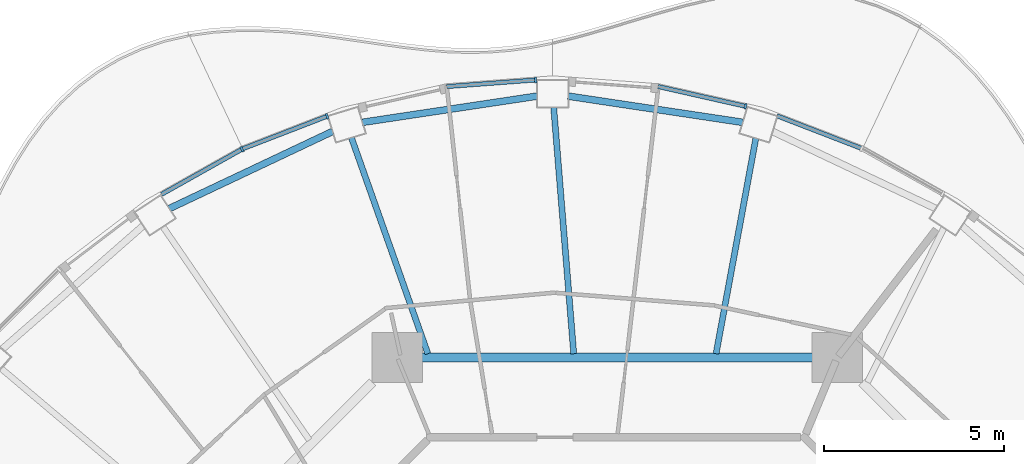
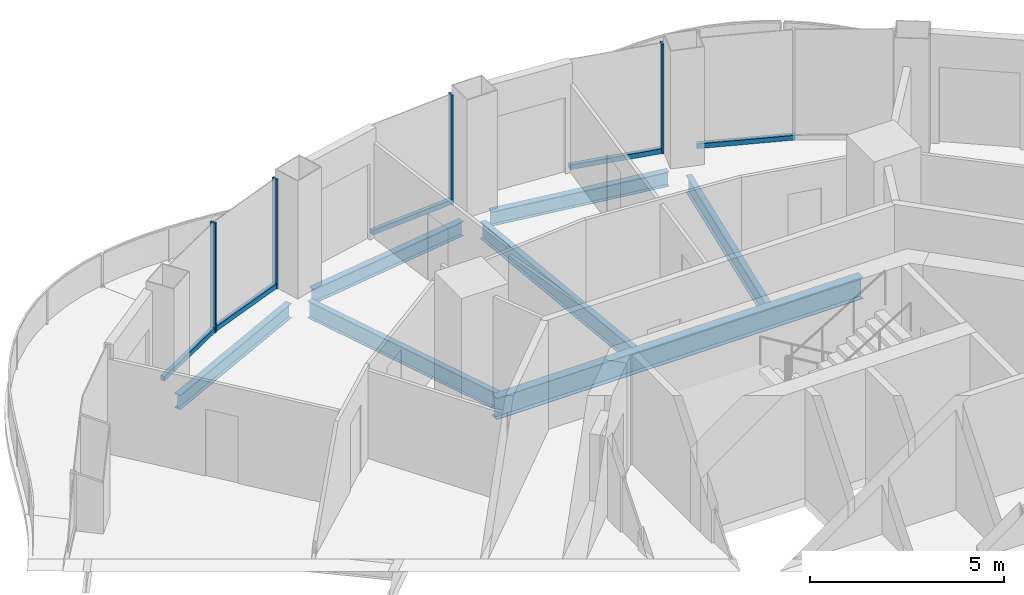
# One storey, part 6 of 17: 9 members, 7 beams, 5 elements without a shape of their own.
"""IFC4 building model written with IfcOpenShell, lengths in metres."""

from ifc_helpers import new_model, si_unit, direction, frame, origin, origin_2d, place, context, subcontext, project, spatial, rectangle, i_section, extrude, material, layer, layer_set, material_profile, profile_set, type_object, element, aggregate, save


model = new_model("IFC4")

# Units and contexts
model_context = context("Model", 3, precision=1e-05, world=origin(), true_north=direction((0.0, 1.0)))
body_context = subcontext(model_context, "Body", "Model", "MODEL_VIEW")
ifc_project = project(units=[si_unit("LENGTHUNIT", "METRE"), si_unit("AREAUNIT", "SQUARE_METRE"), si_unit("VOLUMEUNIT", "CUBIC_METRE"), si_unit("PLANEANGLEUNIT", "RADIAN"), si_unit("MASSUNIT", "GRAM", prefix="KILO")], contexts=[model_context])

# Site, building, storey
site_placement = place(None, origin())
site = spatial("IfcSite", under=ifc_project, at=site_placement, CompositionType="ELEMENT")
building_placement = place(site_placement, origin())
building = spatial("IfcBuilding", under=site, at=building_placement, Name="Nagisa Residences", CompositionType="ELEMENT")
storey_placement = place(building_placement, frame((0.0, 0.0, 265.89990234375)))
storey = spatial("IfcBuildingStorey", under=building, at=storey_placement, Name="L67", CompositionType="ELEMENT", Elevation=265.89990234375)

# Curtain wall, member
ifc_material_1 = material(Name="Concrete-coloured aluminium curtain wall system", Category="concrete")
ifc_layer = layer(ifc_material_1, 0.159912109375)
ifc_layer_set = layer_set([ifc_layer], Name="CW1 CURTAIN WALL")
curtain_wall_type = type_object("IfcCurtainWallType", Name="CW1 CURTAIN WALL", PredefinedType="NOTDEFINED", material=ifc_layer_set)
curtain_wall_1_placement = place(storey_placement, origin())
curtain_wall_1 = element("IfcCurtainWall", 1, at=curtain_wall_1_placement, inside=storey, type_object=curtain_wall_type, Name="cw:CW1:L67:10", PredefinedType="NOTDEFINED")
ifc_material_2 = material(Name="Concrete-coloured aluminium", Category="concrete")
ifc_material_profile_1 = material_profile(ifc_material_2, rectangle(XDim=0.159912109375, YDim=0.06005859375, at=origin_2d()), Name="CW1 MULLION 160x60")
ifc_profile_set_1 = profile_set([ifc_material_profile_1], Name="Concrete-coloured aluminium")
member_type_1 = type_object("IfcMemberType", Name="CW1 MULLION 160x60", PredefinedType="MULLION", material=ifc_profile_set_1)
member_1_placement = place(storey_placement, frame((3.568603515625, 21.773193359375, 0.0), z_axis=(0.0, 0.0, 1.0), x_axis=(-0.2207639201, -0.975327274089, 0.0)))
member_1 = element("IfcMember", 2, at=member_1_placement, type_object=member_type_1, Name="CW1 mullion", PredefinedType="MULLION", context=body_context, shape_type="SweptSolid", body=[
    extrude(rectangle(XDim=0.159912109375, YDim=0.06005859375, at=origin_2d()), origin(), (0.0, 0.0, 1.0), 3.440185546875),
])

curtain_wall_2_placement = place(storey_placement, origin())
curtain_wall_2 = element("IfcCurtainWall", 3, at=curtain_wall_2_placement, inside=storey, type_object=curtain_wall_type, Name="cw:CW1:L67:12", PredefinedType="NOTDEFINED")
member_2_placement = place(storey_placement, frame((-2.272705078125, 22.5068359375, 0.0), z_axis=(0.0, 0.0, 1.0), x_axis=(0.074377355493, -0.997230168512, 0.0)))
member_2 = element("IfcMember", 4, at=member_2_placement, type_object=member_type_1, Name="CW1 mullion", PredefinedType="MULLION", context=body_context, shape_type="SweptSolid", body=[
    extrude(rectangle(XDim=0.159912109375, YDim=0.06005859375, at=origin_2d()), origin(), (0.0, 0.0, 1.0), 3.440185546875),
])

curtain_wall_3_placement = place(storey_placement, origin())
curtain_wall_3 = element("IfcCurtainWall", 5, at=curtain_wall_3_placement, inside=storey, type_object=curtain_wall_type, Name="cw:CW1:L67:14", PredefinedType="NOTDEFINED")
member_3_placement = place(storey_placement, frame((-8.073486328125, 21.49755859375, 0.0), z_axis=(0.0, 0.0, 1.0), x_axis=(0.360327770268, -0.932825759707, 0.0)))
member_3 = element("IfcMember", 6, at=member_3_placement, type_object=member_type_1, Name="CW1 mullion", PredefinedType="MULLION", context=body_context, shape_type="SweptSolid", body=[
    extrude(rectangle(XDim=0.159912109375, YDim=0.06005859375, at=origin_2d()), origin(), (0.0, 0.0, 1.0), 3.440185546875),
])

curtain_wall_4_placement = place(storey_placement, origin())
curtain_wall_4 = element("IfcCurtainWall", 7, at=curtain_wall_4_placement, inside=storey, type_object=curtain_wall_type, Name="cw:CW1:L67:15", PredefinedType="NOTDEFINED")
member_4_placement = place(storey_placement, frame((-10.443359375, 20.57861328125, 0.0), z_axis=(0.0, 0.0, 1.0), x_axis=(0.489376918501, -0.872072377523, 0.0)))
member_4 = element("IfcMember", 8, at=member_4_placement, type_object=member_type_1, Name="CW1 mullion", PredefinedType="MULLION", context=body_context, shape_type="SweptSolid", body=[
    extrude(rectangle(XDim=0.159912109375, YDim=0.06005859375, at=origin_2d()), origin(), (0.0, 0.0, 1.0), 3.440185546875),
])

curtain_wall_5_placement = place(storey_placement, origin())
curtain_wall_5 = element("IfcCurtainWall", 9, at=curtain_wall_5_placement, inside=storey, type_object=curtain_wall_type, Name="cw:CW1:L67:09", PredefinedType="NOTDEFINED")
ifc_material_3 = material(Name="Concrete-coloured aluminium", Category="concrete")
ifc_material_profile_2 = material_profile(ifc_material_3, rectangle(XDim=0.1201171875, YDim=0.14990234375, at=origin_2d()), Name="CW1 TRANSOM 120x150")
ifc_profile_set_2 = profile_set([ifc_material_profile_2], Name="Concrete-coloured aluminium")
member_type_2 = type_object("IfcMemberType", Name="CW1 TRANSOM 120x150", PredefinedType="USERDEFINED", material=ifc_profile_set_2)
member_5_placement = place(storey_placement, frame((6.827392578125, 20.58837890625, 0.0751953125), z_axis=(-0.93282223778, 0.360336887792, 0.0), x_axis=(-0.360336887792, -0.93282223778, 0.0)))
member_5 = element("IfcMember", 10, at=member_5_placement, type_object=member_type_2, Name="CW1 transom", ObjectType="TRANSOM", PredefinedType="USERDEFINED", context=body_context, shape_type="SweptSolid", body=[
    extrude(rectangle(XDim=0.1201171875, YDim=0.14990234375, at=origin_2d()), origin(), (0.0, 0.0, 1.0), 2.5537109375),
])
aggregate(curtain_wall_5, [member_5])

# Member
member_6_placement = place(storey_placement, frame((3.597900390625, 21.7666015625, 0.0751953125), z_axis=(-0.975340398222, 0.220705930136, 0.0), x_axis=(-0.220705930136, -0.975340398222, 0.0)))
member_6 = element("IfcMember", 11, at=member_6_placement, type_object=member_type_2, Name="CW1 transom", ObjectType="TRANSOM", PredefinedType="USERDEFINED", context=body_context, shape_type="SweptSolid", body=[
    extrude(rectangle(XDim=0.1201171875, YDim=0.14990234375, at=origin_2d()), origin(), (0.0, 0.0, 1.0), 2.525390625),
])

aggregate(curtain_wall_1, [member_1, member_6])

member_7_placement = place(storey_placement, frame((-2.242919921875, 22.509033203125, 0.0751953125), z_axis=(-0.99722914645, -0.074391057731, 0.0), x_axis=(0.074391057731, -0.99722914645, 0.0)))
member_7 = element("IfcMember", 12, at=member_7_placement, type_object=member_type_2, Name="CW1 transom", ObjectType="TRANSOM", PredefinedType="USERDEFINED", context=body_context, shape_type="SweptSolid", body=[
    extrude(rectangle(XDim=0.1201171875, YDim=0.14990234375, at=origin_2d()), origin(), (0.0, 0.0, 1.0), 2.510498046875),
])

aggregate(curtain_wall_2, [member_2, member_7])

member_8_placement = place(storey_placement, frame((-8.04541015625, 21.508544921875, 0.0751953125), z_axis=(-0.93282223778, -0.360336887792, 0.0), x_axis=(0.360336887792, -0.93282223778, 0.0)))
member_8 = element("IfcMember", 13, at=member_8_placement, type_object=member_type_2, Name="CW1 transom", ObjectType="TRANSOM", PredefinedType="USERDEFINED", context=body_context, shape_type="SweptSolid", body=[
    extrude(rectangle(XDim=0.1201171875, YDim=0.14990234375, at=origin_2d()), origin(), (0.0, 0.0, 1.0), 2.5537109375),
])

aggregate(curtain_wall_3, [member_3, member_8])

member_9_placement = place(storey_placement, frame((-10.417236328125, 20.59326171875, 0.0751953125), z_axis=(-0.872052877201, -0.489411666561, 0.0), x_axis=(0.489411666561, -0.872052877201, 0.0)))
member_9 = element("IfcMember", 14, at=member_9_placement, type_object=member_type_2, Name="CW1 transom", ObjectType="TRANSOM", PredefinedType="USERDEFINED", context=body_context, shape_type="SweptSolid", body=[
    extrude(rectangle(XDim=0.1201171875, YDim=0.14990234375, at=origin_2d()), origin(), (0.0, 0.0, 1.0), 2.593017578125),
])

aggregate(curtain_wall_4, [member_4, member_9])

# Beams
ifc_material_4 = material(Name="Steel ASTM A572 Gr 50", Category="steel")
ifc_material_profile_3 = material_profile(ifc_material_4, i_section(OverallWidth=0.2529296875, OverallDepth=0.677978515625, WebThickness=0.01171875, FlangeThickness=0.016357421875, at=origin_2d()), Name="W690x125")
ifc_profile_set_3 = profile_set([ifc_material_profile_3], Name="Steel ASTM A572 Gr 50")
beam_type_1 = type_object("IfcBeamType", Name="Inner ring beam W690x125", PredefinedType="BEAM", material=ifc_profile_set_3)
beam_1_placement = place(storey_placement, frame((5.44287109375, 14.781982421875, -0.598876953125), z_axis=(-1.0, 0.0, 0.0), x_axis=(0.0, -1.0, 0.0)))
element("IfcBeam", 15, at=beam_1_placement, inside=storey, type_object=beam_type_1, Name="beam:L67:ib2", PredefinedType="BEAM", context=body_context, shape_type="SweptSolid", body=[
    extrude(i_section(OverallWidth=0.2529296875, OverallDepth=0.677978515625, WebThickness=0.01171875, FlangeThickness=0.016357421875, at=origin_2d()), origin(), (0.0, 0.0, 1.0), 10.8857421875),
])
ifc_material_5 = material(Name="Steel ASTM A572 Gr 50", Category="steel")
ifc_material_profile_4 = material_profile(ifc_material_5, i_section(OverallWidth=0.18994140625, OverallDepth=0.45703125, WebThickness=0.009033203125, FlangeThickness=0.014404296875, at=origin_2d()), Name="W460x74")
ifc_profile_set_4 = profile_set([ifc_material_profile_4], Name="Steel ASTM A572 Gr 50")
beam_type_2 = type_object("IfcBeamType", Name="Perimeter ring beam W460x74", PredefinedType="BEAM", material=ifc_profile_set_4)
beam_2_placement = place(storey_placement, frame((3.4951171875, 21.326904296875, -0.48828125), z_axis=(-0.988907577601, 0.148532161377, 0.0), x_axis=(-0.148532161377, -0.988907577601, 0.0)))
element("IfcBeam", 16, at=beam_2_placement, inside=storey, type_object=beam_type_2, Name="beam:L67:pb06", PredefinedType="BEAM", context=body_context, shape_type="SweptSolid", body=[
    extrude(i_section(OverallWidth=0.18994140625, OverallDepth=0.45703125, WebThickness=0.009033203125, FlangeThickness=0.014404296875, at=origin_2d()), origin(), (0.0, 0.0, 1.0), 4.919677734375),
])
beam_3_placement = place(storey_placement, frame((-2.230224609375, 22.0576171875, -0.48828125), z_axis=(-0.98890648267, -0.148539451101, 0.0), x_axis=(0.148539451101, -0.98890648267, 0.0)))
element("IfcBeam", 17, at=beam_3_placement, inside=storey, type_object=beam_type_2, Name="beam:L67:pb07", PredefinedType="BEAM", context=body_context, shape_type="SweptSolid", body=[
    extrude(i_section(OverallWidth=0.18994140625, OverallDepth=0.45703125, WebThickness=0.009033203125, FlangeThickness=0.014404296875, at=origin_2d()), origin(), (0.0, 0.0, 1.0), 4.91943359375),
])
beam_4_placement = place(storey_placement, frame((-7.918212890625, 21.076416015625, -0.48828125), z_axis=(-0.904115893837, -0.427287316113, 0.0), x_axis=(0.427287316113, -0.904115893837, 0.0)))
element("IfcBeam", 18, at=beam_4_placement, inside=storey, type_object=beam_type_2, Name="beam:L67:pb08", PredefinedType="BEAM", context=body_context, shape_type="SweptSolid", body=[
    extrude(i_section(OverallWidth=0.18994140625, OverallDepth=0.45703125, WebThickness=0.009033203125, FlangeThickness=0.014404296875, at=origin_2d()), origin(), (0.0, 0.0, 1.0), 5.031494140625),
])
ifc_material_6 = material(Name="Steel ASTM A572 Gr 50", Category="steel")
ifc_material_profile_5 = material_profile(ifc_material_6, i_section(OverallWidth=0.166015625, OverallDepth=0.534912109375, WebThickness=0.01025390625, FlangeThickness=0.0166015625, at=origin_2d()), Name="W530x85")
ifc_profile_set_5 = profile_set([ifc_material_profile_5], Name="Steel ASTM A572 Gr 50")
beam_type_3 = type_object("IfcBeamType", Name="Radial beam W530x85", PredefinedType="BEAM", material=ifc_profile_set_5)
beam_5_placement = place(storey_placement, frame((3.855712890625, 20.885986328125, -0.52734375), z_axis=(-0.18155164865, -0.983381410681, 0.0), x_axis=(0.983381410681, -0.18155164865, 0.0)))
element("IfcBeam", 19, at=beam_5_placement, inside=storey, type_object=beam_type_3, Name="beam:L67:rb06", PredefinedType="BEAM", context=body_context, shape_type="SweptSolid", body=[
    extrude(i_section(OverallWidth=0.166015625, OverallDepth=0.534912109375, WebThickness=0.01025390625, FlangeThickness=0.0166015625, at=origin_2d()), origin(), (0.0, 0.0, 1.0), 6.098388671875),
])
beam_6_placement = place(storey_placement, frame((-1.76904296875, 21.7421875, -0.52734375), z_axis=(0.081094239996, -0.996706438346, 0.0), x_axis=(0.996706438346, 0.081094239996, 0.0)))
element("IfcBeam", 20, at=beam_6_placement, inside=storey, type_object=beam_type_3, Name="beam:L67:rb07", PredefinedType="BEAM", context=body_context, shape_type="SweptSolid", body=[
    extrude(i_section(OverallWidth=0.166015625, OverallDepth=0.534912109375, WebThickness=0.01025390625, FlangeThickness=0.0166015625, at=origin_2d()), origin(), (0.0, 0.0, 1.0), 6.876220703125),
])
beam_7_placement = place(storey_placement, frame((-7.398193359375, 20.903564453125, -0.52734375), z_axis=(0.333636730814, -0.942701719449, 0.0), x_axis=(0.942701719449, 0.333636730814, 0.0)))
element("IfcBeam", 21, at=beam_7_placement, inside=storey, type_object=beam_type_3, Name="beam:L67:rb08", PredefinedType="BEAM", context=body_context, shape_type="SweptSolid", body=[
    extrude(i_section(OverallWidth=0.166015625, OverallDepth=0.534912109375, WebThickness=0.01025390625, FlangeThickness=0.0166015625, at=origin_2d()), origin(), (0.0, 0.0, 1.0), 6.37939453125),
])

save(model, "model.ifc")
